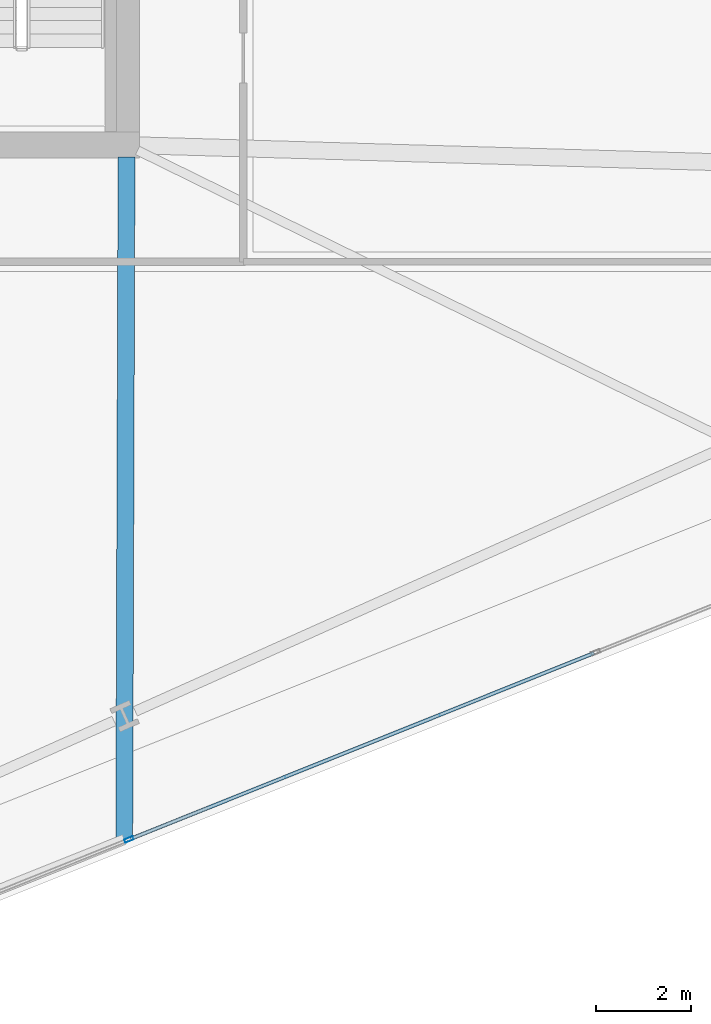
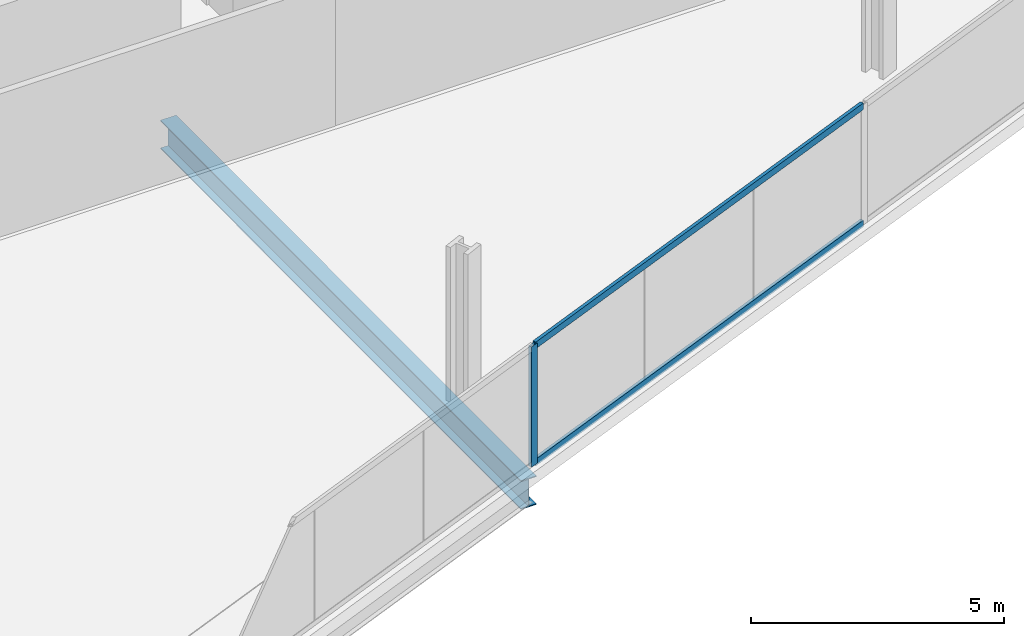
# One storey, part 8 of 33: 3 members, 1 beam, 1 element without a shape of its own.
"""IFC4 building model written with IfcOpenShell, lengths in metres."""

import ifcopenshell
import ifcopenshell.guid

model = None  # the IFC model being written
_history = None  # IfcOwnerHistory: only IFC2X3 demands one
_inside = {}  # id of a spatial element -> (the spatial element, [elements in it])
_under = {}  # id of a project, library or spatial element -> (it, [spatial elements below it])
_declared = {}  # id of a project -> (the project, [libraries it declares])
_typed = {}  # id of a type object -> (the type object, [elements of that type])
_made_of = {}  # id of a material, layer set ... -> (it, [elements and type objects made of it])


def new_model(schema):
    """Start an empty IFC model of exactly this schema.

    Asked for "IFC4X3", IfcOpenShell would pick the latest addendum, in which some entities
    have other attributes; the version numbers below select the first issue.
    IFC2X3 requires an IfcOwnerHistory on every rooted entity: one is made here for all.
    """
    global model, _history
    if schema == "IFC4X3":
        model = ifcopenshell.file(schema_version=(4, 3, 0, 0))
    else:
        model = ifcopenshell.file(schema=schema)
    _inside.clear()
    _under.clear()
    _declared.clear()
    _typed.clear()
    _made_of.clear()
    _history = None
    if model.schema == "IFC2X3":
        org = make("IfcOrganization", Name="unknown")
        user = make(
            "IfcPersonAndOrganization",
            ThePerson=make("IfcPerson", FamilyName="unknown"),
            TheOrganization=org,
        )
        app = make(
            "IfcApplication",
            ApplicationDeveloper=org,
            Version="unknown",
            ApplicationFullName="unknown",
            ApplicationIdentifier="unknown",
        )
        _history = make(
            "IfcOwnerHistory",
            OwningUser=user,
            OwningApplication=app,
            ChangeAction="ADDED",
            CreationDate=0,
        )
    return model


def make(cls, **values):
    """One entity of the class cls with the attributes given. An attribute that is None is left unset."""
    return model.create_entity(
        cls, **{name: value for name, value in values.items() if value is not None}
    )


def rooted(cls, **values):
    """An entity with a GlobalId (a new one), such as an element, a storey or a relation."""
    return make(cls, GlobalId=ifcopenshell.guid.new(), OwnerHistory=_history, **values)


def si_unit(unit_type, name, prefix=None):
    """IfcSIUnit, for example si_unit("LENGTHUNIT", "METRE", prefix="MILLI")."""
    return make("IfcSIUnit", UnitType=unit_type, Prefix=prefix, Name=name)


def assignment(units):
    """IfcUnitAssignment: the units of a project."""
    return None if units is None else make("IfcUnitAssignment", Units=units)


def point(xyz):
    """IfcCartesianPoint."""
    return None if xyz is None else make("IfcCartesianPoint", Coordinates=xyz)


def direction(xyz):
    """IfcDirection."""
    return None if xyz is None else make("IfcDirection", DirectionRatios=xyz)


def frame(location, z_axis=None, x_axis=None):
    """IfcAxis2Placement3D, a coordinate frame: its origin and axes. An axis left out is left unset."""
    return make(
        "IfcAxis2Placement3D",
        Location=point(location),
        Axis=direction(z_axis),
        RefDirection=direction(x_axis),
    )


def frame_2d(location, x_axis=None):
    """IfcAxis2Placement2D, a coordinate frame in the plane: its origin and x axis."""
    return make(
        "IfcAxis2Placement2D", Location=point(location), RefDirection=direction(x_axis)
    )


def origin():
    """The frame at (0, 0, 0) with its axes left unset."""
    return frame((0.0, 0.0, 0.0))


def origin_2d():
    """The frame at (0, 0) in the plane with its x axis left unset."""
    return frame_2d((0.0, 0.0))


def place(relative_to, where):
    """IfcLocalPlacement: puts the frame where relative to a parent placement (None: the world)."""
    return make(
        "IfcLocalPlacement", PlacementRelTo=relative_to, RelativePlacement=where
    )


def context(
    kind, dimensions, precision=None, world=None, true_north=None, identifier=None
):
    """IfcGeometricRepresentationContext, for example the 3D "Model" context."""
    return make(
        "IfcGeometricRepresentationContext",
        ContextIdentifier=identifier,
        ContextType=kind,
        CoordinateSpaceDimension=dimensions,
        Precision=precision,
        WorldCoordinateSystem=world,
        TrueNorth=true_north,
    )


def subcontext(parent, identifier, kind, view, scale=None):
    """IfcGeometricRepresentationSubContext, for example "Body" below "Model"."""
    return make(
        "IfcGeometricRepresentationSubContext",
        ContextIdentifier=identifier,
        ContextType=kind,
        ParentContext=parent,
        TargetScale=scale,
        TargetView=view,
    )


def project(units=None, contexts=None):
    """IfcProject with its units and contexts."""
    return rooted(
        "IfcProject",
        Name="project",
        RepresentationContexts=contexts,
        UnitsInContext=assignment(units),
    )


def spatial(cls, under=None, at=None, **own):
    """A site, building, storey or space (cls), placed at a placement, below another one or the project."""
    s = rooted(cls, ObjectPlacement=at, **own)
    if under is not None:
        _under.setdefault(under.id(), (under, []))[1].append(s)
    return s


def profile(cls, at=None, kind="AREA", **sizes):
    """A parametric profile (cls). Its sizes go by their IFC names, for example OverallWidth=200.0."""
    return make(cls, ProfileType=kind, Position=at, **sizes)


def hollow_rectangle(**sizes):
    """IfcRectangleHollowProfileDef."""
    return profile("IfcRectangleHollowProfileDef", **sizes)


def i_section(**sizes):
    """IfcIShapeProfileDef."""
    return profile("IfcIShapeProfileDef", **sizes)


def extrude(swept, where, along, depth):
    """IfcExtrudedAreaSolid: the profile swept, set in the frame where, extruded along a direction by depth."""
    return make(
        "IfcExtrudedAreaSolid",
        SweptArea=swept,
        Position=where,
        ExtrudedDirection=direction(along),
        Depth=depth,
    )


def shape(context_of_items, identifier, shape_type, items):
    """IfcShapeRepresentation: the items that make up one representation, for example the "Body"."""
    return make(
        "IfcShapeRepresentation",
        ContextOfItems=context_of_items,
        RepresentationIdentifier=identifier,
        RepresentationType=shape_type,
        Items=items,
    )


def material(Name=None, Category=None):
    """IfcMaterial."""
    return make("IfcMaterial", Name=Name, Category=Category)


def material_profile(
    of_material, cross_section, Name=None, Category=None, Priority=None
):
    """IfcMaterialProfile: a cross section and its material."""
    return make(
        "IfcMaterialProfile",
        Name=Name,
        Material=of_material,
        Profile=cross_section,
        Priority=Priority,
        Category=Category,
    )


def profile_set(profiles, Name=None, composite=None):
    """IfcMaterialProfileSet."""
    return make(
        "IfcMaterialProfileSet",
        Name=Name,
        MaterialProfiles=profiles,
        CompositeProfile=composite,
    )


def made_of(thing, what):
    """Note that an element or type object is made of a material, layer set ...; save() writes the relation."""
    if what is not None:
        _made_of.setdefault(what.id(), (what, []))[1].append(thing)
    return thing


def type_object(cls, material=None, **own):
    """A type object (cls), such as IfcWallType, which elements share."""
    return made_of(rooted(cls, **own), material)


def element(
    cls,
    number,
    at=None,
    inside=None,
    cuts=None,
    type_object=None,
    material=None,
    context=None,
    identifier="Body",
    shape_type=None,
    held_by="IfcProductDefinitionShape",
    body=None,
    shapes=None,
    **own,
):
    """One element of the class cls, such as IfcWall. Its Tag is "e" and its number.

    at: its placement. inside: the storey or other place that contains it. cuts: it is an
    opening in that element (IfcRelVoidsElement). A single representation is given by context,
    identifier, shape_type and body (its items); several are given by shapes. held_by: the class
    of the entity that holds the representations. save() writes the other relations.
    """
    e = rooted(cls, Tag="e%d" % number, ObjectPlacement=at, **own)
    if body is not None:
        shapes = [shape(context, identifier, shape_type, body)]
    if shapes is not None:
        e.Representation = make(held_by, Representations=shapes)
    if inside is not None:
        _inside.setdefault(inside.id(), (inside, []))[1].append(e)
    if cuts is not None:
        rooted(
            "IfcRelVoidsElement", RelatingBuildingElement=cuts, RelatedOpeningElement=e
        )
    if type_object is not None:
        _typed.setdefault(type_object.id(), (type_object, []))[1].append(e)
    return made_of(e, material)


def aggregate(whole, parts):
    """IfcRelAggregates: a whole, such as a stair, and the parts it consists of."""
    return rooted("IfcRelAggregates", RelatingObject=whole, RelatedObjects=parts)


def save(model, path):
    """Write the relations noted so far, then the file.

    IfcRelAggregates (storeys below a building ...), IfcRelContainedInSpatialStructure (elements
    in a storey), IfcRelDefinesByType, IfcRelAssociatesMaterial and IfcRelDeclares: one each for
    every whole, place, type object, material and project.
    """
    for whole, parts in _under.values():
        aggregate(whole, parts)
    for where, things in _inside.values():
        rooted(
            "IfcRelContainedInSpatialStructure",
            RelatedElements=things,
            RelatingStructure=where,
        )
    for kind, things in _typed.values():
        rooted("IfcRelDefinesByType", RelatedObjects=things, RelatingType=kind)
    for what, things in _made_of.values():
        rooted("IfcRelAssociatesMaterial", RelatedObjects=things, RelatingMaterial=what)
    for by, libraries in _declared.values():
        rooted("IfcRelDeclares", RelatingContext=by, RelatedDefinitions=libraries)
    model.write(path)


model = new_model("IFC4")

# Units and contexts
model_context = context("Model", 3, precision=1e-05, world=origin(), true_north=direction((0.0, 1.0)))
body_context = subcontext(model_context, "Body", "Model", "MODEL_VIEW")
ifc_project = project(units=[si_unit("LENGTHUNIT", "METRE"), si_unit("AREAUNIT", "SQUARE_METRE"), si_unit("VOLUMEUNIT", "CUBIC_METRE"), si_unit("PLANEANGLEUNIT", "RADIAN"), si_unit("MASSUNIT", "GRAM", prefix="KILO")], contexts=[model_context])

# Site, building, storey
site_placement = place(None, origin())
site = spatial("IfcSite", under=ifc_project, at=site_placement, CompositionType="ELEMENT")
building_placement = place(site_placement, origin())
building = spatial("IfcBuilding", under=site, at=building_placement, Name="Haldenkirk Collegiate Tower", CompositionType="ELEMENT")
storey_placement = place(building_placement, frame((0.0, 0.0, 101.699951171875)))
storey = spatial("IfcBuildingStorey", under=building, at=storey_placement, Name="L24", CompositionType="ELEMENT", Elevation=101.699951171875)

# Beam
ifc_material_1 = material(Name="Steel ASTM A992 Grade 50", Category="steel")
ifc_material_profile_1 = material_profile(ifc_material_1, i_section(OverallWidth=0.35498046875, OverallDepth=0.696044921875, WebThickness=0.015380859375, FlangeThickness=0.02490234375, at=origin_2d()), Name="W27X146")
ifc_profile_set_1 = profile_set([ifc_material_profile_1], Name="Steel ASTM A992 Grade 50")
beam_type = type_object("IfcBeamType", Name="BM-GIRDER-W27X146", PredefinedType="BEAM", material=ifc_profile_set_1)
beam_placement = place(storey_placement, frame((44.951171875, 3.43017578125, -0.64794921875), z_axis=(0.00334275173, 0.99999441299, 0.0), x_axis=(-0.99999441299, 0.00334275173, 0.0)))
element("IfcBeam", 1, at=beam_placement, inside=storey, type_object=beam_type, Name="L24 primary floor girder 06", PredefinedType="BEAM", context=body_context, shape_type="SweptSolid", body=[
    extrude(i_section(OverallWidth=0.35498046875, OverallDepth=0.696044921875, WebThickness=0.015380859375, FlangeThickness=0.02490234375, at=origin_2d()), origin(), (0.0, 0.0, 1.0), 14.31494140625),
])

# Curtain wall, members
ifc_material_2 = material(Name="Anodised architectural bronze aluminium", Category="aluminium")
curtain_wall_type = type_object("IfcCurtainWallType", Name="CW-SYS2-CONCAVE", PredefinedType="USERDEFINED", material=ifc_material_2)
curtain_wall_placement = place(storey_placement, origin())
curtain_wall = element("IfcCurtainWall", 2, at=curtain_wall_placement, inside=storey, type_object=curtain_wall_type, Name="L24 South concave recessed bronze-anodised curtain wall", ObjectType="UNITISED CURTAIN WALL", PredefinedType="USERDEFINED")
ifc_material_profile_2 = material_profile(ifc_material_2, hollow_rectangle(XDim=0.074951171875, YDim=0.18994140625, WallThickness=0.0048828125, at=origin_2d()), Name="CW-MUL-02")
ifc_profile_set_2 = profile_set([ifc_material_profile_2], Name="Anodised architectural bronze aluminium")
member_type_1 = type_object("IfcMemberType", Name="CW-MUL-02", PredefinedType="MULLION", material=ifc_profile_set_2)
member_1_placement = place(storey_placement, frame((45.05126953125, 3.42724609375, 0.0), z_axis=(0.0, 0.0, 1.0), x_axis=(0.372177026355, -0.928161764486, 0.0)))
member_1 = element("IfcMember", 3, at=member_1_placement, type_object=member_type_1, Name="CW-02 mullion 3", PredefinedType="MULLION", context=body_context, shape_type="SweptSolid", body=[
    extrude(hollow_rectangle(XDim=0.074951171875, YDim=0.18994140625, WallThickness=0.0048828125, at=origin_2d()), origin(), (0.0, 0.0, 1.0), 2.901123046875),
])
ifc_material_profile_3 = material_profile(ifc_material_2, hollow_rectangle(XDim=0.074951171875, YDim=0.159912109375, WallThickness=0.0048828125, at=origin_2d()), Name="CW-TRN-02")
ifc_profile_set_3 = profile_set([ifc_material_profile_3], Name="Anodised architectural bronze aluminium")
member_type_2 = type_object("IfcMemberType", Name="CW-TRN-02", PredefinedType="USERDEFINED", material=ifc_profile_set_3)
member_2_placement = place(storey_placement, frame((54.80859375, 7.339599609375, 0.03759765625), z_axis=(-0.928164528697, -0.372170132693, 0.0), x_axis=(0.372170132693, -0.928164528697, 0.0)))
member_2 = element("IfcMember", 4, at=member_2_placement, type_object=member_type_2, Name="CW-02 transom 2.1", ObjectType="TRANSOM", PredefinedType="USERDEFINED", context=body_context, shape_type="SweptSolid", body=[
    extrude(hollow_rectangle(XDim=0.074951171875, YDim=0.159912109375, WallThickness=0.0048828125, at=origin_2d()), origin(), (0.0, 0.0, 1.0), 10.474853515625),
])
member_3_placement = place(storey_placement, frame((54.80859375, 7.339599609375, 2.863525390625), z_axis=(-0.928164528697, -0.372170132693, 0.0), x_axis=(0.372170132693, -0.928164528697, 0.0)))
member_3 = element("IfcMember", 5, at=member_3_placement, type_object=member_type_2, Name="CW-02 transom 2.2", ObjectType="TRANSOM", PredefinedType="USERDEFINED", context=body_context, shape_type="SweptSolid", body=[
    extrude(hollow_rectangle(XDim=0.074951171875, YDim=0.159912109375, WallThickness=0.0048828125, at=origin_2d()), origin(), (0.0, 0.0, 1.0), 10.474853515625),
])
aggregate(curtain_wall, [member_1, member_2, member_3])

save(model, "model.ifc")
